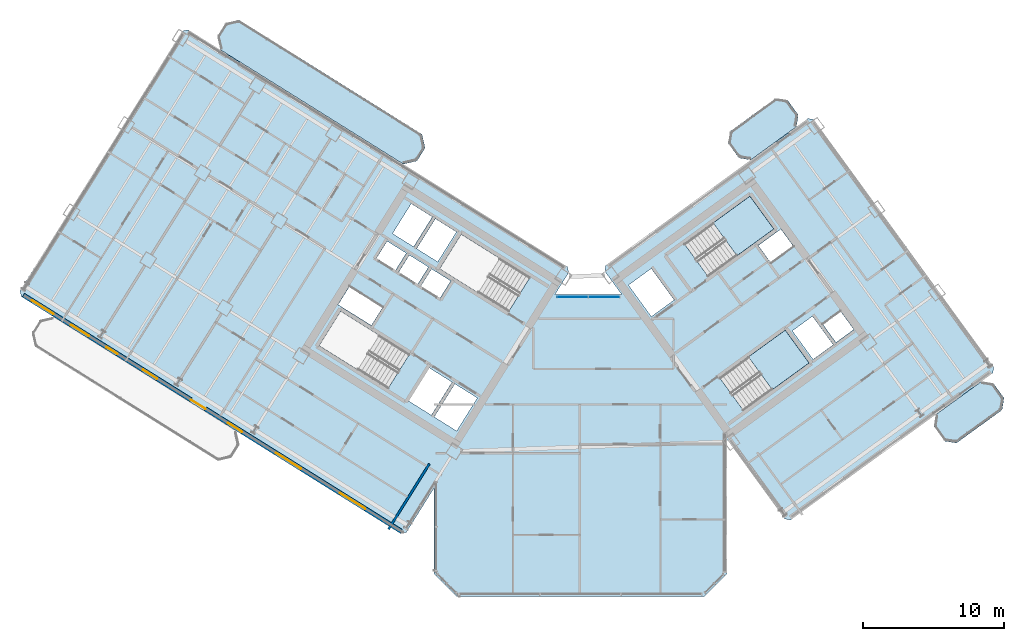
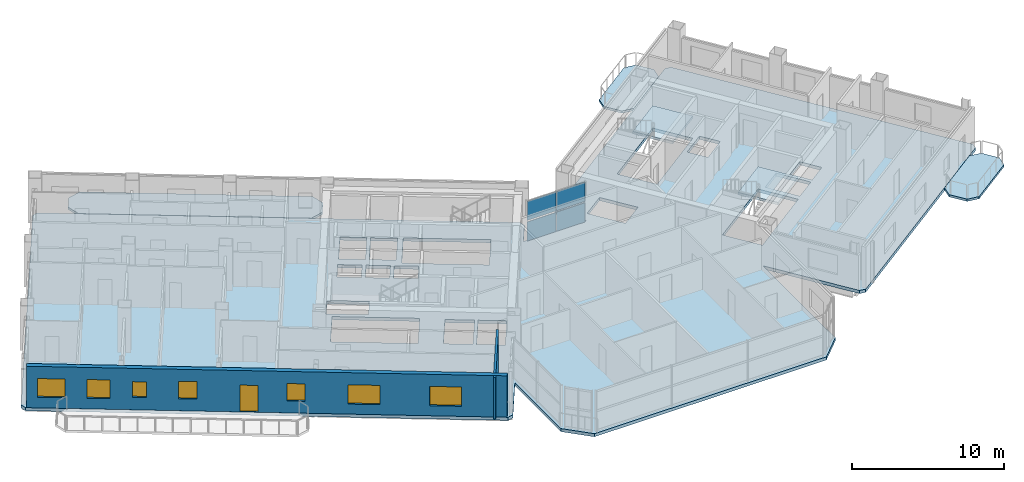
# One storey, part 15 of 29: 7 windows, 6 slabs, 4 plates, 2 walls, 1 door, 8 openings, 3 elements without a shape of their own.
"""IFC4 building model written with IfcOpenShell, lengths in metres."""

from ifc_helpers import new_model, si_unit, direction, frame, frame_2d, origin, origin_2d, place, context, subcontext, project, spatial, polyline, rectangle, outline, extrude, source, transform, mapped, material, layer, layer_set, type_object, element, fill, aggregate, save


model = new_model("IFC4")

# Units and contexts
model_context = context("Model", 3, precision=1e-05, world=origin(), true_north=direction((0.0, 1.0)))
body_context = subcontext(model_context, "Body", "Model", "MODEL_VIEW")
ifc_project = project(units=[si_unit("LENGTHUNIT", "METRE"), si_unit("AREAUNIT", "SQUARE_METRE"), si_unit("VOLUMEUNIT", "CUBIC_METRE"), si_unit("PLANEANGLEUNIT", "RADIAN"), si_unit("MASSUNIT", "GRAM", prefix="KILO")], contexts=[model_context])

# Site, building, storey
site_placement = place(None, origin())
site = spatial("IfcSite", under=ifc_project, at=site_placement, CompositionType="ELEMENT")
building_placement = place(site_placement, origin())
building = spatial("IfcBuilding", under=site, at=building_placement, Name="Tlacorven Tower", CompositionType="ELEMENT")
storey_placement = place(building_placement, frame((0.0, 0.0, 165.89990234375)))
storey = spatial("IfcBuildingStorey", under=building, at=storey_placement, Name="L42", CompositionType="ELEMENT", Elevation=165.89990234375)

# Slabs
ifc_material_1 = material(Name="Precast concrete C45/55", Category="concrete")
ifc_layer_1 = layer(ifc_material_1, 0.179931640625)
ifc_layer_set_1 = layer_set([ifc_layer_1], Name="Precast concrete C45/55")
slab_type_1 = type_object("IfcSlabType", Name="SL-BAL-180", PredefinedType="USERDEFINED", material=ifc_layer_set_1)
slab_1_placement = place(storey_placement, frame((0.0, 0.0, -0.179931640625)))
element("IfcSlab", 1, at=slab_1_placement, inside=storey, type_object=slab_type_1, Name="L42 West Wing Balcony Ribbon IN", ObjectType="BALCONY SLAB", PredefinedType="USERDEFINED", context=body_context, shape_type="SweptSolid", body=[
    extrude(outline(polyline([(30.756591796875, 34.57763671875), (17.781494140625, 42.685546875), (16.81689453125, 42.462890625), (16.236572265625, 41.5341796875), (16.459228515625, 40.569580078125), (29.434326171875, 32.4619140625), (30.39892578125, 32.6845703125), (30.979248046875, 33.613037109375), (30.756591796875, 34.57763671875)])), origin(), (0.0, 0.0, 1.0), 0.179931640625),
])
slab_2_placement = place(storey_placement, frame((0.0, 0.0, -0.179931640625)))
element("IfcSlab", 2, at=slab_2_placement, inside=storey, type_object=slab_type_1, Name="L42 East Wing Balcony Ribbon OUT", ObjectType="BALCONY SLAB", PredefinedType="USERDEFINED", context=body_context, shape_type="SweptSolid", body=[
    extrude(outline(polyline([(68.669921875, 12.678955078125), (71.906005859375, 15.0302734375), (72.03857421875, 15.8681640625), (71.27734375, 16.916015625), (70.439453125, 17.048583984375), (67.203369140625, 14.697509765625), (67.070556640625, 13.859375), (67.831787109375, 12.811767578125), (68.669921875, 12.678955078125)])), origin(), (0.0, 0.0, 1.0), 0.179931640625),
])
slab_3_placement = place(storey_placement, frame((0.0, 0.0, -0.179931640625)))
element("IfcSlab", 3, at=slab_3_placement, inside=storey, type_object=slab_type_1, Name="L42 East Wing Balcony Ribbon IN", ObjectType="BALCONY SLAB", PredefinedType="USERDEFINED", context=body_context, shape_type="SweptSolid", body=[
    extrude(outline(polyline([(54.078125, 32.762939453125), (57.314208984375, 35.114013671875), (57.44677734375, 35.9521484375), (56.685791015625, 36.999755859375), (55.84765625, 37.132568359375), (52.611572265625, 34.78125), (52.478759765625, 33.943359375), (53.239990234375, 32.8955078125), (54.078125, 32.762939453125)])), origin(), (0.0, 0.0, 1.0), 0.179931640625),
])

# Stair, slab
ifc_material_2 = material(Name="Concrete C40/50", Category="concrete")
stair_type = type_object("IfcStairType", Name="ST-CORE-DLG", PredefinedType="HALF_TURN_STAIR", material=ifc_material_2)
stair_1_placement = place(storey_placement, origin())
stair_1 = element("IfcStair", 4, at=stair_1_placement, inside=storey, type_object=stair_type, Name="L42 Protected Exit Stair East 1", PredefinedType="HALF_TURN_STAIR")
ifc_layer_2 = layer(ifc_material_2, 0.199951171875)
ifc_layer_set_2 = layer_set([ifc_layer_2], Name="Concrete C40/50")
slab_type_2 = type_object("IfcSlabType", Name="SL-LND-200", PredefinedType="LANDING", material=ifc_layer_set_2)
slab_4_placement = place(storey_placement, frame((0.0, 0.0, 1.60009765625)))
slab_4 = element("IfcSlab", 5, at=slab_4_placement, type_object=slab_type_2, Name="ST-E1 landing 1", PredefinedType="LANDING", context=body_context, shape_type="SweptSolid", body=[
    extrude(outline(polyline([(53.09765625, 25.962890625), (55.7109375, 27.861572265625), (54.01806640625, 30.19140625), (51.40478515625, 28.29296875), (53.09765625, 25.962890625)])), origin(), (0.0, 0.0, 1.0), 0.199951171875),
])
aggregate(stair_1, [slab_4])

stair_2_placement = place(storey_placement, origin())
stair_2 = element("IfcStair", 6, at=stair_2_placement, inside=storey, type_object=stair_type, Name="L42 Protected Exit Stair East 2", PredefinedType="HALF_TURN_STAIR")
slab_5_placement = place(storey_placement, frame((0.0, 0.0, 1.60009765625)))
slab_5 = element("IfcSlab", 7, at=slab_5_placement, type_object=slab_type_2, Name="ST-E2 landing 1", PredefinedType="LANDING", context=body_context, shape_type="SweptSolid", body=[
    extrude(outline(polyline([(55.601806640625, 16.4599609375), (58.21484375, 18.3583984375), (56.52197265625, 20.6884765625), (53.908935546875, 18.789794921875), (55.601806640625, 16.4599609375)])), origin(), (0.0, 0.0, 1.0), 0.199951171875),
])
aggregate(stair_2, [slab_5])

# Slab
ifc_layer_3 = layer(ifc_material_2, 0.25)
ifc_layer_set_3 = layer_set([ifc_layer_3], Name="Concrete C40/50")
slab_type_3 = type_object("IfcSlabType", Name="SL-TWR-250", PredefinedType="FLOOR", material=ifc_layer_set_3)
slab_6_placement = place(storey_placement, frame((0.0, 0.0, -0.25)))
element("IfcSlab", 8, at=slab_6_placement, inside=storey, type_object=slab_type_3, Name="L42 Boomerang Tower Floor Slab", PredefinedType="FLOOR", context=body_context, shape_type="SweptSolid", body=[
    extrude(outline(polyline([(52.39990234375, 3.39990234375), (50.800048828125, 1.800048828125), (33.199951171875, 1.800048828125), (31.60009765625, 3.39990234375), (31.60009765625, 9.470703125), (29.652587890625, 6.35400390625), (29.2392578125, 6.258544921875), (2.339111328125, 23.067626953125), (2.24365234375, 23.481201171875), (13.75341796875, 41.900634765625), (14.1669921875, 41.99609375), (41.06689453125, 25.18701171875), (41.162353515625, 24.773681640625), (40.178955078125, 23.199951171875), (44.932373046875, 23.199951171875), (43.723876953125, 24.86328125), (43.790283203125, 25.2822265625), (58.1259765625, 35.69775390625), (58.545166015625, 35.63134765625), (71.311767578125, 18.0595703125), (71.245361328125, 17.640380859375), (56.90966796875, 7.224853515625), (56.49072265625, 7.291259765625), (52.39990234375, 12.921630859375), (52.39990234375, 3.39990234375)]), holes=[polyline([(29.865478515625, 18.979736328125), (24.9892578125, 22.02685546875), (23.463134765625, 19.58447265625), (28.33935546875, 16.537353515625), (29.865478515625, 18.979736328125)]), polyline([(38.4169921875, 24.4375), (33.540771484375, 27.484375), (32.0146484375, 25.0419921875), (36.890869140625, 21.9951171875), (38.4169921875, 24.4375)]), polyline([(51.05908203125, 24.481689453125), (55.7109375, 27.861572265625), (54.01806640625, 30.19140625), (49.3662109375, 26.811767578125), (51.05908203125, 24.481689453125)]), polyline([(53.56298828125, 14.978759765625), (58.21484375, 18.3583984375), (56.52197265625, 20.6884765625), (51.8701171875, 17.30859375), (53.56298828125, 14.978759765625)]), polyline([(34.682373046875, 15.87548828125), (33.088134765625, 16.871826171875), (31.62548828125, 14.531005859375), (33.2197265625, 13.534912109375), (34.682373046875, 15.87548828125)]), polyline([(32.884521484375, 16.9990234375), (31.2392578125, 18.02685546875), (29.77685546875, 15.686279296875), (31.421875, 14.658203125), (32.884521484375, 16.9990234375)]), polyline([(47.0234375, 21.648681640625), (48.6416015625, 22.82421875), (47.019287109375, 25.05712890625), (45.401123046875, 23.881591796875), (47.0234375, 21.648681640625)]), polyline([(33.197265625, 27.65185546875), (31.704833984375, 28.58447265625), (30.3798828125, 26.46435546875), (31.87255859375, 25.53173828125), (33.197265625, 27.65185546875)]), polyline([(31.484375, 28.722412109375), (29.99169921875, 29.655029296875), (28.6669921875, 27.534912109375), (30.159423828125, 26.602294921875), (31.484375, 28.722412109375)]), polyline([(32.794921875, 24.17724609375), (31.43798828125, 25.025146484375), (30.685546875, 23.82080078125), (32.042236328125, 22.972900390625), (32.794921875, 24.17724609375)]), polyline([(31.217529296875, 25.162841796875), (29.860595703125, 26.0107421875), (29.108154296875, 24.806396484375), (30.465087890625, 23.958740234375), (31.217529296875, 25.162841796875)]), polyline([(29.64013671875, 26.1484375), (28.283203125, 26.996337890625), (27.53076171875, 25.792236328125), (28.8876953125, 24.9443359375), (29.64013671875, 26.1484375)]), polyline([(58.498779296875, 18.614013671875), (59.922607421875, 19.648681640625), (58.453125, 21.671142578125), (57.029296875, 20.63671875), (58.498779296875, 18.614013671875)]), polyline([(27.96142578125, 22.2919921875), (25.603759765625, 23.76513671875), (24.80908203125, 22.4931640625), (27.16650390625, 21.02001953125), (27.96142578125, 22.2919921875)]), polyline([(55.490478515625, 25.4765625), (57.092529296875, 26.640380859375), (56.210693359375, 27.85400390625), (54.60888671875, 26.690185546875), (55.490478515625, 25.4765625)]), polyline([(60.12109375, 19.817626953125), (61.38330078125, 20.734619140625), (60.45458984375, 22.012939453125), (59.192626953125, 21.095947265625), (60.12109375, 19.817626953125)])]), origin(), (0.0, 0.0, 1.0), 0.25),
])

# Curtain wall, plates
ifc_material_3 = material(Name="Dark solar low-E double glazing in aluminium frame", Category="aluminium")
curtain_wall_type = type_object("IfcCurtainWallType", Name="CW-TWR-MID", PredefinedType="USERDEFINED", material=ifc_material_3)
curtain_wall_placement = place(storey_placement, origin())
curtain_wall = element("IfcCurtainWall", 9, at=curtain_wall_placement, inside=storey, type_object=curtain_wall_type, Name="L42 CW-TWR-MID Curtain Wall 195", ObjectType="UNITISED CURTAIN WALL", PredefinedType="USERDEFINED")
ifc_material_4 = material(Name="High-wind dark solar tempered low-E glazing", Category="glass")
ifc_layer_4 = layer(ifc_material_4, 0.028076171875)
ifc_layer_set_4 = layer_set([ifc_layer_4], Name="High-wind dark solar tempered low-E glazing")
plate_type = type_object("IfcPlateType", Name="CWP-03", PredefinedType="CURTAIN_PANEL", material=ifc_layer_set_4)
shared_shape_1 = source(origin(), body_context, "Body", "SweptSolid", [
    extrude(rectangle(XDim=2.178466796875, YDim=0.028076171875, at=origin_2d()), origin(), (0.0, 0.0, 1.0), 1.5380859375),
])
plate_1_placement = place(storey_placement, frame((41.447998046875, 23.0400390625, 0.06103515625), z_axis=(0.0, 0.0, 1.0), x_axis=(1.0, 0.0, 0.0)))
plate_1 = element("IfcPlate", 10, at=plate_1_placement, type_object=plate_type, Name="CW-L42-195 Glazing Panel 1", PredefinedType="CURTAIN_PANEL", context=body_context, shape_type="MappedRepresentation", body=[
    mapped(shared_shape_1, transform((0.0, 0.0, 0.0), scale=1.0)),
])
plate_2_placement = place(storey_placement, frame((41.447998046875, 23.0400390625, 1.720947265625), z_axis=(0.0, 0.0, 1.0), x_axis=(1.0, 0.0, 0.0)))
plate_2 = element("IfcPlate", 11, at=plate_2_placement, type_object=plate_type, Name="CW-L42-195 Glazing Panel 2", PredefinedType="CURTAIN_PANEL", context=body_context, shape_type="MappedRepresentation", body=[
    mapped(shared_shape_1, transform((0.0, 0.0, 0.0), scale=1.0)),
])
plate_3_placement = place(storey_placement, frame((43.673583984375, 23.0400390625, 0.06103515625), z_axis=(0.0, 0.0, 1.0), x_axis=(1.0, 0.0, 0.0)))
plate_3 = element("IfcPlate", 12, at=plate_3_placement, type_object=plate_type, Name="CW-L42-195 Glazing Panel 3", PredefinedType="CURTAIN_PANEL", context=body_context, shape_type="MappedRepresentation", body=[
    mapped(shared_shape_1, transform((0.0, 0.0, 0.0), scale=1.0)),
])
plate_4_placement = place(storey_placement, frame((43.673583984375, 23.0400390625, 1.720947265625), z_axis=(0.0, 0.0, 1.0), x_axis=(1.0, 0.0, 0.0)))
plate_4 = element("IfcPlate", 13, at=plate_4_placement, type_object=plate_type, Name="CW-L42-195 Glazing Panel 4", PredefinedType="CURTAIN_PANEL", context=body_context, shape_type="MappedRepresentation", body=[
    mapped(shared_shape_1, transform((0.0, 0.0, 0.0), scale=1.0)),
])
aggregate(curtain_wall, [plate_1, plate_2, plate_3, plate_4])

# Wall
ifc_material_5 = material(Name="Gypsum plasterboard acoustic partition", Category="gypsum")
ifc_layer_5 = layer(ifc_material_5, 0.159912109375)
ifc_layer_set_5 = layer_set([ifc_layer_5], Name="Gypsum plasterboard acoustic partition")
wall_type_1 = type_object("IfcWallType", Name="WL-DEM-160", PredefinedType="PARTITIONING", material=ifc_layer_set_5)
wall_1_placement = place(storey_placement, frame((31.282470703125, 11.2080078125, 0.0), z_axis=(0.0, 0.0, 1.0), x_axis=(-0.529938869374, -0.84803584519, 0.0)))
element("IfcWall", 14, at=wall_1_placement, inside=storey, type_object=wall_type_1, Name="L42 WC West Throat Wall", PredefinedType="PARTITIONING", context=body_context, shape_type="SweptSolid", body=[
    extrude(rectangle(XDim=5.47998046875, YDim=0.159912109375, at=frame_2d((2.739990234375, 0.0))), origin(), (0.0, 0.0, 1.0), 3.31005859375),
])

# Wall, openings, door, windows
ifc_layer_6 = layer(ifc_material_1, 0.320068359375)
ifc_layer_set_6 = layer_set([ifc_layer_6], Name="Precast concrete C45/55")
wall_type_2 = type_object("IfcWallType", Name="WL-EXT-320", PredefinedType="STANDARD", material=ifc_layer_set_6)
wall_2_placement = place(storey_placement, frame((29.267822265625, 6.429443359375, 0.0), z_axis=(0.0, 0.0, 1.0), x_axis=(-0.848049971435, 0.529916263149, 0.0)))
wall_2 = element("IfcWall", 15, at=wall_2_placement, inside=storey, type_object=wall_type_2, Name="L42 Masonry-Frame Recessed Facade Wall 1", PredefinedType="STANDARD", context=body_context, shape_type="SweptSolid", body=[
    extrude(rectangle(XDim=31.587646484375, YDim=0.320068359375, at=frame_2d((15.7939453125, 0.0))), origin(), (0.0, 0.0, 1.0), 3.320068359375),
])
opening_1_placement = place(wall_2_placement, frame((16.36181640625, 0.0, 0.0)))
opening_1 = element("IfcOpeningElement", 16, at=opening_1_placement, cuts=wall_2, Name="Opening D05", PredefinedType="OPENING", context=body_context, shape_type="SweptSolid", body=[
    extrude(rectangle(XDim=1.199951171875, YDim=2.14990234375, at=frame_2d((0.60009765625, 1.074951171875))), frame((0.0, 0.169921875, 0.0), z_axis=(0.0, -1.0, 0.0), x_axis=(1.0, 0.0, 0.0)), (0.0, 0.0, 1.0), 0.340087890625),
])
opening_2_placement = place(wall_2_placement, frame((2.98876953125, 0.0, 0.800048828125)))
opening_2 = element("IfcOpeningElement", 17, at=opening_2_placement, cuts=wall_2, Name="Opening WN04", PredefinedType="OPENING", context=body_context, shape_type="SweptSolid", body=[
    extrude(rectangle(XDim=2.10009765625, YDim=1.550048828125, at=frame_2d((1.050048828125, 0.77490234375))), frame((0.0, 0.169921875, 0.0), z_axis=(0.0, -1.0, 0.0), x_axis=(1.0, 0.0, 0.0)), (0.0, 0.0, 1.0), 0.340087890625),
])
opening_3_placement = place(wall_2_placement, frame((8.358642578125, 0.0, 0.800048828125)))
opening_3 = element("IfcOpeningElement", 18, at=opening_3_placement, cuts=wall_2, Name="Opening WN04", PredefinedType="OPENING", context=body_context, shape_type="SweptSolid", body=[
    extrude(rectangle(XDim=2.10009765625, YDim=1.550048828125, at=frame_2d((1.050048828125, 0.77490234375))), frame((0.0, 0.169921875, 0.0), z_axis=(0.0, -1.0, 0.0), x_axis=(1.0, 0.0, 0.0)), (0.0, 0.0, 1.0), 0.340087890625),
])
opening_4_placement = place(wall_2_placement, frame((13.28369140625, 0.0, 0.949951171875)))
opening_4 = element("IfcOpeningElement", 19, at=opening_4_placement, cuts=wall_2, Name="Opening WN03", PredefinedType="OPENING", context=body_context, shape_type="SweptSolid", body=[
    extrude(rectangle(XDim=1.199951171875, YDim=1.39990234375, at=frame_2d((0.60009765625, 0.699951171875))), frame((0.0, 0.169921875, 0.0), z_axis=(0.0, -1.0, 0.0), x_axis=(1.0, 0.0, 0.0)), (0.0, 0.0, 1.0), 0.340087890625),
])
opening_5_placement = place(wall_2_placement, frame((20.39013671875, 0.0, 0.949951171875)))
opening_5 = element("IfcOpeningElement", 20, at=opening_5_placement, cuts=wall_2, Name="Opening WN03", PredefinedType="OPENING", context=body_context, shape_type="SweptSolid", body=[
    extrude(rectangle(XDim=1.199951171875, YDim=1.39990234375, at=frame_2d((0.60009765625, 0.699951171875))), frame((0.0, 0.169921875, 0.0), z_axis=(0.0, -1.0, 0.0), x_axis=(1.0, 0.0, 0.0)), (0.0, 0.0, 1.0), 0.340087890625),
])
opening_6_placement = place(wall_2_placement, frame((23.715087890625, 0.0, 1.0)))
opening_6 = element("IfcOpeningElement", 21, at=opening_6_placement, cuts=wall_2, Name="Opening WN05", PredefinedType="OPENING", context=body_context, shape_type="SweptSolid", body=[
    extrude(rectangle(XDim=0.89990234375, YDim=1.25, at=frame_2d((0.449951171875, 0.625))), frame((0.0, 0.169921875, 0.0), z_axis=(0.0, -1.0, 0.0), x_axis=(1.0, 0.0, 0.0)), (0.0, 0.0, 1.0), 0.340087890625),
])
opening_7_placement = place(wall_2_placement, frame((26.106201171875, 0.0, 0.85009765625)))
opening_7 = element("IfcOpeningElement", 22, at=opening_7_placement, cuts=wall_2, Name="Opening WN02", PredefinedType="OPENING", context=body_context, shape_type="SweptSolid", body=[
    extrude(rectangle(XDim=1.5, YDim=1.5, at=frame_2d((0.75, 0.75))), frame((0.0, 0.169921875, 0.0), z_axis=(0.0, -1.0, 0.0), x_axis=(1.0, 0.0, 0.0)), (0.0, 0.0, 1.0), 0.340087890625),
])
opening_8_placement = place(wall_2_placement, frame((29.068115234375, 0.0, 0.85009765625)))
opening_8 = element("IfcOpeningElement", 23, at=opening_8_placement, cuts=wall_2, Name="Opening WN01", PredefinedType="OPENING", context=body_context, shape_type="SweptSolid", body=[
    extrude(rectangle(XDim=1.800048828125, YDim=1.5, at=frame_2d((0.89990234375, 0.75))), frame((0.0, 0.169921875, 0.0), z_axis=(0.0, -1.0, 0.0), x_axis=(1.0, 0.0, 0.0)), (0.0, 0.0, 1.0), 0.340087890625),
])
ifc_material_6 = material(Name="Powder-coated aluminium and timber door", Category="wood")
door_type = type_object("IfcDoorType", Name="DR-EXT-BALC-1200", OperationType="NOTDEFINED", PredefinedType="DOOR", material=ifc_material_6)
shared_shape_2 = source(origin(), body_context, "Body", "SweptSolid", [
    extrude(rectangle(XDim=1.199951171875, YDim=2.14990234375, at=frame_2d((0.60009765625, 1.074951171875))), frame((0.0, 0.02490234375, 0.0), z_axis=(0.0, -1.0, 0.0), x_axis=(1.0, 0.0, 0.0)), (0.0, 0.0, 1.0), 0.050048828125),
])
door_placement = place(opening_1_placement, origin())
door = element("IfcDoor", 24, at=door_placement, inside=storey, type_object=door_type, Name="L42 Outdoor Access Door BAL-L42-W-OUT", OperationType="SINGLE_SWING_LEFT", OverallHeight=2.14990234375, OverallWidth=1.199951171875, PredefinedType="DOOR", context=body_context, shape_type="MappedRepresentation", body=[
    mapped(shared_shape_2, transform((0.0, 0.0, 0.0), scale=1.0)),
])
fill(opening_1, door)
ifc_material_7 = material(Name="Dark solar low-E double glazing in anodised aluminium frame", Category="aluminium")
window_type_1 = type_object("IfcWindowType", Name="WN-APT-2100X1750", PartitioningType="SINGLE_PANEL", PredefinedType="WINDOW", material=ifc_material_7)
shared_shape_3 = source(origin(), body_context, "Body", "SweptSolid", [
    extrude(rectangle(XDim=2.10009765625, YDim=1.550048828125, at=frame_2d((1.050048828125, 0.77490234375))), frame((0.0, 0.030029296875, 0.0), z_axis=(0.0, -1.0, 0.0), x_axis=(1.0, 0.0, 0.0)), (0.0, 0.0, 1.0), 0.06005859375),
])
window_1_placement = place(opening_2_placement, origin())
window_1 = element("IfcWindow", 25, at=window_1_placement, inside=storey, type_object=window_type_1, Name="L42 Recessed Masonry-Frame Window L42-01.1", OverallHeight=1.550048828125, OverallWidth=2.10009765625, PartitioningType="SINGLE_PANEL", PredefinedType="WINDOW", context=body_context, shape_type="MappedRepresentation", body=[
    mapped(shared_shape_3, transform((0.0, 0.0, 0.0), scale=1.0)),
])
fill(opening_2, window_1)
window_2_placement = place(opening_3_placement, origin())
window_2 = element("IfcWindow", 26, at=window_2_placement, inside=storey, type_object=window_type_1, Name="L42 Recessed Masonry-Frame Window L42-01.2", OverallHeight=1.550048828125, OverallWidth=2.10009765625, PartitioningType="SINGLE_PANEL", PredefinedType="WINDOW", context=body_context, shape_type="MappedRepresentation", body=[
    mapped(shared_shape_3, transform((0.0, 0.0, 0.0), scale=1.0)),
])
fill(opening_3, window_2)
window_type_2 = type_object("IfcWindowType", Name="WN-APT-1200X1500", PartitioningType="SINGLE_PANEL", PredefinedType="WINDOW", material=ifc_material_7)
shared_shape_4 = source(origin(), body_context, "Body", "SweptSolid", [
    extrude(rectangle(XDim=1.199951171875, YDim=1.39990234375, at=frame_2d((0.60009765625, 0.699951171875))), frame((0.0, 0.030029296875, 0.0), z_axis=(0.0, -1.0, 0.0), x_axis=(1.0, 0.0, 0.0)), (0.0, 0.0, 1.0), 0.06005859375),
])
window_3_placement = place(opening_4_placement, origin())
window_3 = element("IfcWindow", 27, at=window_3_placement, inside=storey, type_object=window_type_2, Name="L42 Recessed Masonry-Frame Window L42-01.3", OverallHeight=1.39990234375, OverallWidth=1.199951171875, PartitioningType="SINGLE_PANEL", PredefinedType="WINDOW", context=body_context, shape_type="MappedRepresentation", body=[
    mapped(shared_shape_4, transform((0.0, 0.0, 0.0), scale=1.0)),
])
fill(opening_4, window_3)
window_4_placement = place(opening_5_placement, origin())
window_4 = element("IfcWindow", 28, at=window_4_placement, inside=storey, type_object=window_type_2, Name="L42 Recessed Masonry-Frame Window L42-01.4", OverallHeight=1.39990234375, OverallWidth=1.199951171875, PartitioningType="SINGLE_PANEL", PredefinedType="WINDOW", context=body_context, shape_type="MappedRepresentation", body=[
    mapped(shared_shape_4, transform((0.0, 0.0, 0.0), scale=1.0)),
])
fill(opening_5, window_4)
window_type_3 = type_object("IfcWindowType", Name="WN-APT-1800X1650", PartitioningType="SINGLE_PANEL", PredefinedType="WINDOW", material=ifc_material_7)
shared_shape_5 = source(origin(), body_context, "Body", "SweptSolid", [
    extrude(rectangle(XDim=1.800048828125, YDim=1.5, at=frame_2d((0.89990234375, 0.75))), frame((0.0, 0.030029296875, 0.0), z_axis=(0.0, -1.0, 0.0), x_axis=(1.0, 0.0, 0.0)), (0.0, 0.0, 1.0), 0.06005859375),
])
window_5_placement = place(opening_8_placement, origin())
window_5 = element("IfcWindow", 29, at=window_5_placement, inside=storey, type_object=window_type_3, Name="L42 Recessed Masonry-Frame Window L42-01.7", OverallHeight=1.5, OverallWidth=1.800048828125, PartitioningType="SINGLE_PANEL", PredefinedType="WINDOW", context=body_context, shape_type="MappedRepresentation", body=[
    mapped(shared_shape_5, transform((0.0, 0.0, 0.0), scale=1.0)),
])
fill(opening_8, window_5)
window_type_4 = type_object("IfcWindowType", Name="WN-APT-1500X1650", PartitioningType="SINGLE_PANEL", PredefinedType="WINDOW", material=ifc_material_7)
shared_shape_6 = source(origin(), body_context, "Body", "SweptSolid", [
    extrude(rectangle(XDim=1.5, YDim=1.5, at=frame_2d((0.75, 0.75))), frame((0.0, 0.030029296875, 0.0), z_axis=(0.0, -1.0, 0.0), x_axis=(1.0, 0.0, 0.0)), (0.0, 0.0, 1.0), 0.06005859375),
])
window_6_placement = place(opening_7_placement, origin())
window_6 = element("IfcWindow", 30, at=window_6_placement, inside=storey, type_object=window_type_4, Name="L42 Recessed Masonry-Frame Window L42-01.6", OverallHeight=1.5, OverallWidth=1.5, PartitioningType="SINGLE_PANEL", PredefinedType="WINDOW", context=body_context, shape_type="MappedRepresentation", body=[
    mapped(shared_shape_6, transform((0.0, 0.0, 0.0), scale=1.0)),
])
fill(opening_7, window_6)
window_type_5 = type_object("IfcWindowType", Name="WN-APT-0900X1350", PartitioningType="SINGLE_PANEL", PredefinedType="WINDOW", material=ifc_material_7)
shared_shape_7 = source(origin(), body_context, "Body", "SweptSolid", [
    extrude(rectangle(XDim=0.89990234375, YDim=1.25, at=frame_2d((0.449951171875, 0.625))), frame((0.0, 0.030029296875, 0.0), z_axis=(0.0, -1.0, 0.0), x_axis=(1.0, 0.0, 0.0)), (0.0, 0.0, 1.0), 0.06005859375),
])
window_7_placement = place(opening_6_placement, origin())
window_7 = element("IfcWindow", 31, at=window_7_placement, inside=storey, type_object=window_type_5, Name="L42 Recessed Masonry-Frame Window L42-01.5", OverallHeight=1.25, OverallWidth=0.89990234375, PartitioningType="SINGLE_PANEL", PredefinedType="WINDOW", context=body_context, shape_type="MappedRepresentation", body=[
    mapped(shared_shape_7, transform((0.0, 0.0, 0.0), scale=1.0)),
])
fill(opening_6, window_7)

save(model, "model.ifc")
